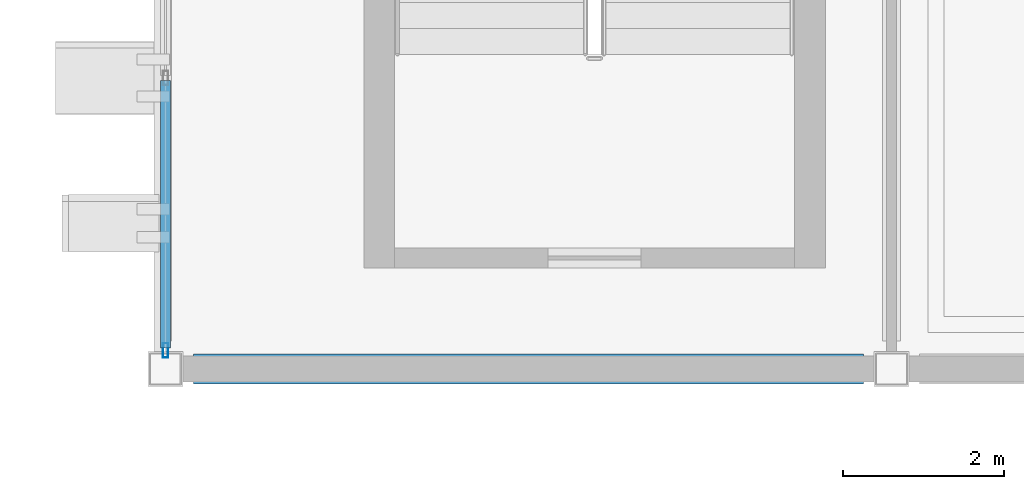
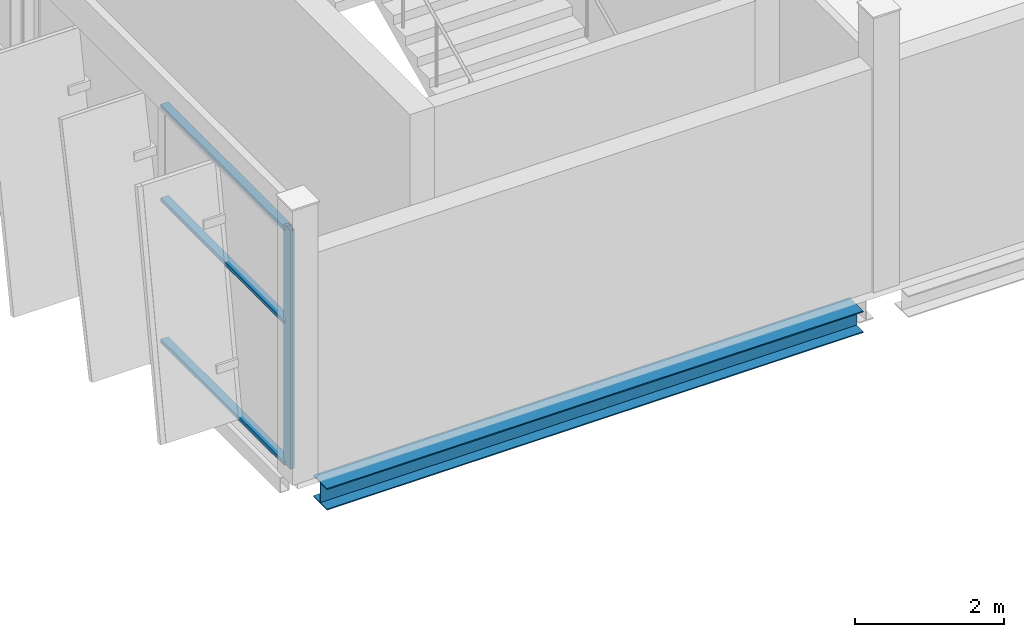
# One storey, part 14 of 78: 4 members, 1 beam, 1 element without a shape of its own.
"""IFC4 building model written with IfcOpenShell, lengths in metres."""

from ifc_helpers import new_model, si_unit, direction, frame, origin, origin_2d, place, context, subcontext, project, spatial, hollow_rectangle, i_section, extrude, material, layer, layer_set, material_profile, profile_set, type_object, element, aggregate, save


model = new_model("IFC4")

# Units and contexts
model_context = context("Model", 3, precision=1e-05, world=origin(), true_north=direction((0.0, 1.0)))
body_context = subcontext(model_context, "Body", "Model", "MODEL_VIEW")
ifc_project = project(units=[si_unit("LENGTHUNIT", "METRE"), si_unit("AREAUNIT", "SQUARE_METRE"), si_unit("VOLUMEUNIT", "CUBIC_METRE"), si_unit("PLANEANGLEUNIT", "RADIAN"), si_unit("MASSUNIT", "GRAM", prefix="KILO")], contexts=[model_context])

# Site, building, storey
site_placement = place(None, origin())
site = spatial("IfcSite", under=ifc_project, at=site_placement, CompositionType="ELEMENT")
building_placement = place(site_placement, origin())
building = spatial("IfcBuilding", under=site, at=building_placement, Name="Celestram Park Convention Centre", CompositionType="ELEMENT")
storey_placement = place(building_placement, frame((0.0, 0.0, 19.800048828125)))
storey = spatial("IfcBuildingStorey", under=building, at=storey_placement, Name="L04", CompositionType="ELEMENT", Elevation=19.800048828125)

# Curtain wall, members
ifc_material_1 = material(Name="Anodised Aluminium Alloy 6063-T6", Category="aluminium")
ifc_layer = layer(ifc_material_1, 0.179931640625)
ifc_layer_set = layer_set([ifc_layer], Name="Anodised Aluminium Alloy 6063-T6")
curtain_wall_type = type_object("IfcCurtainWallType", Name="ARC-CW-682X390", PredefinedType="NOTDEFINED", material=ifc_layer_set)
curtain_wall_placement = place(storey_placement, origin())
curtain_wall = element("IfcCurtainWall", 1, at=curtain_wall_placement, inside=storey, type_object=curtain_wall_type, Name="Unitised curtain wall CU-L04-229", PredefinedType="NOTDEFINED")
ifc_material_profile_1 = material_profile(ifc_material_1, hollow_rectangle(XDim=0.06494140625, YDim=0.179931640625, WallThickness=0.00390625, at=origin_2d()), Name="ALU65X180X4")
ifc_profile_set_1 = profile_set([ifc_material_profile_1], Name="Anodised Aluminium Alloy 6063-T6")
member_type_1 = type_object("IfcMemberType", Name="ARC-CWM-150", PredefinedType="MULLION", material=ifc_profile_set_1)
member_1_placement = place(storey_placement, frame((36.0, 108.23046875, 0.0), z_axis=(0.0, 0.0, 1.0), x_axis=(-1.0, 0.0, 0.0)))
member_1 = element("IfcMember", 2, at=member_1_placement, type_object=member_type_1, Name="CW-68X39 mullion 1", PredefinedType="MULLION", context=body_context, shape_type="SweptSolid", body=[
    extrude(hollow_rectangle(XDim=0.06494140625, YDim=0.179931640625, WallThickness=0.00390625, at=origin_2d()), origin(), (0.0, 0.0, 1.0), 3.904052734375),
])
ifc_material_profile_2 = material_profile(ifc_material_1, hollow_rectangle(XDim=0.1201171875, YDim=0.06005859375, WallThickness=0.0029296875, at=origin_2d()), Name="ALU120X60X3")
ifc_profile_set_2 = profile_set([ifc_material_profile_2], Name="Anodised Aluminium Alloy 6063-T6")
member_type_2 = type_object("IfcMemberType", Name="ARC-CWT-120", PredefinedType="USERDEFINED", material=ifc_profile_set_2)
member_2_placement = place(storey_placement, frame((36.0, 108.262939453125, 0.030029296875), z_axis=(0.0, 1.0, 0.0), x_axis=(-1.0, 0.0, 0.0)))
member_2 = element("IfcMember", 3, at=member_2_placement, type_object=member_type_2, Name="CW-68X39 transom 1.1", ObjectType="TRANSOM", PredefinedType="USERDEFINED", context=body_context, shape_type="SweptSolid", body=[
    extrude(hollow_rectangle(XDim=0.1201171875, YDim=0.06005859375, WallThickness=0.0029296875, at=origin_2d()), origin(), (0.0, 0.0, 1.0), 3.311279296875),
])
member_3_placement = place(storey_placement, frame((36.0, 108.262939453125, 2.342041015625), z_axis=(0.0, 1.0, 0.0), x_axis=(-1.0, 0.0, 0.0)))
member_3 = element("IfcMember", 4, at=member_3_placement, type_object=member_type_2, Name="CW-68X39 transom 1.2", ObjectType="TRANSOM", PredefinedType="USERDEFINED", context=body_context, shape_type="SweptSolid", body=[
    extrude(hollow_rectangle(XDim=0.1201171875, YDim=0.06005859375, WallThickness=0.0029296875, at=origin_2d()), origin(), (0.0, 0.0, 1.0), 3.311279296875),
])
member_4_placement = place(storey_placement, frame((36.0, 108.262939453125, 3.8740234375), z_axis=(0.0, 1.0, 0.0), x_axis=(-1.0, 0.0, 0.0)))
member_4 = element("IfcMember", 5, at=member_4_placement, type_object=member_type_2, Name="CW-68X39 transom 1.3", ObjectType="TRANSOM", PredefinedType="USERDEFINED", context=body_context, shape_type="SweptSolid", body=[
    extrude(hollow_rectangle(XDim=0.1201171875, YDim=0.06005859375, WallThickness=0.0029296875, at=origin_2d()), origin(), (0.0, 0.0, 1.0), 3.311279296875),
])
aggregate(curtain_wall, [member_1, member_2, member_3, member_4])

# Beam
ifc_material_2 = material(Name="Steel ASTM A992 Grade 50", Category="steel")
ifc_material_profile_3 = material_profile(ifc_material_2, i_section(OverallWidth=0.367919921875, OverallDepth=0.35595703125, WebThickness=0.01123046875, FlangeThickness=0.01806640625, at=origin_2d()), Name="W14X90")
ifc_profile_set_3 = profile_set([ifc_material_profile_3], Name="Steel ASTM A992 Grade 50")
beam_type = type_object("IfcBeamType", Name="STR-SPN-W14X90", PredefinedType="SPANDREL", material=ifc_profile_set_3)
beam_placement = place(storey_placement, frame((36.347900390625, 108.0, -0.427978515625), z_axis=(1.0, 0.0, 0.0), x_axis=(0.0, 1.0, 0.0)))
element("IfcBeam", 6, at=beam_placement, inside=storey, type_object=beam_type, Name="Primary X-girder BG-L04-0001", PredefinedType="SPANDREL", context=body_context, shape_type="SweptSolid", body=[
    extrude(i_section(OverallWidth=0.367919921875, OverallDepth=0.35595703125, WebThickness=0.01123046875, FlangeThickness=0.01806640625, at=origin_2d()), origin(), (0.0, 0.0, 1.0), 8.30419921875),
])

save(model, "model.ifc")
